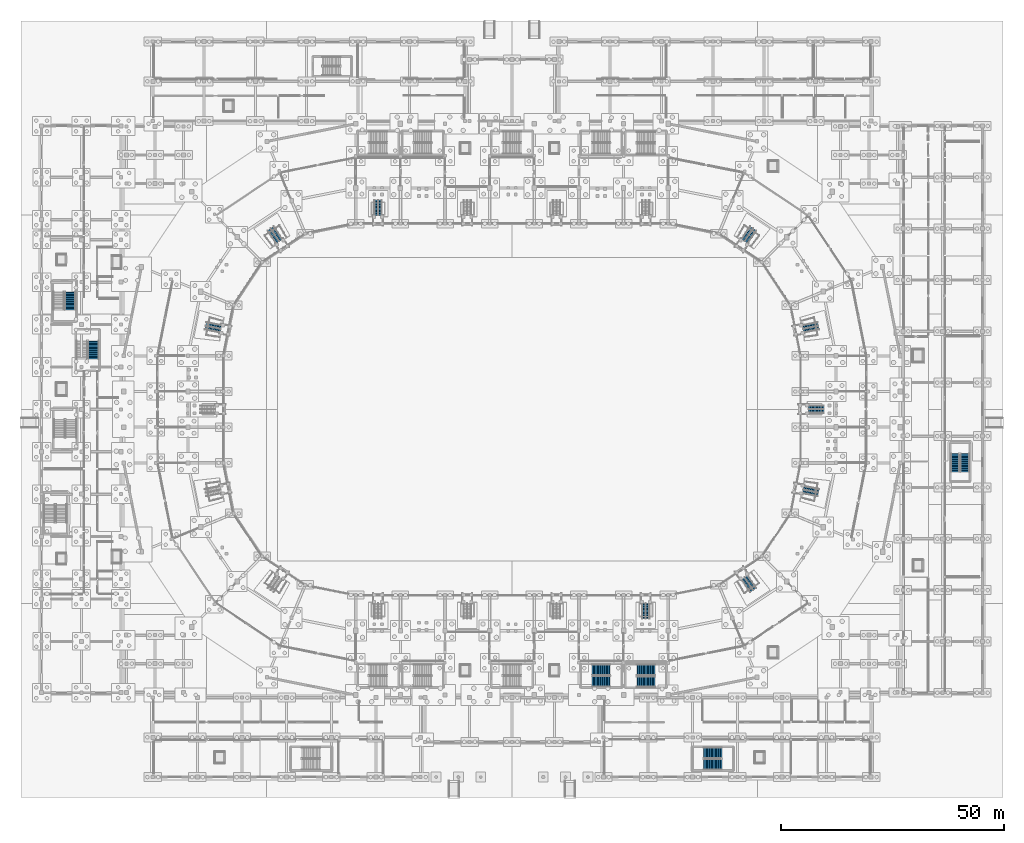
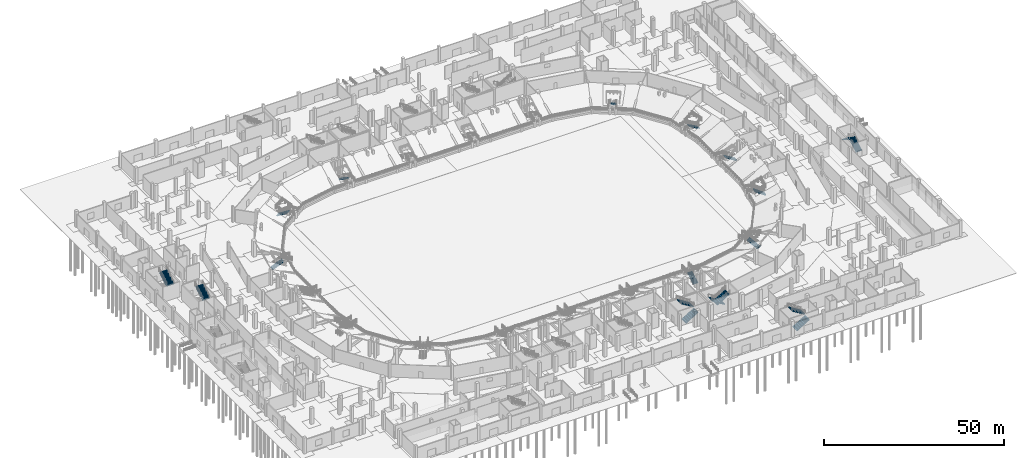
# One storey, part 44 of 68: 19 stair flights, 15 elements without a shape of their own.
"""IFC4 building model written with IfcOpenShell, lengths in metres."""

from ifc_helpers import new_model, si_unit, direction, frame, origin, place, context, subcontext, project, spatial, polyline, outline, extrude, material, type_object, element, aggregate, save


model = new_model("IFC4")

# Units and contexts
model_context = context("Model", 3, precision=1e-05, world=origin(), true_north=direction((0.0, 1.0)))
body_context = subcontext(model_context, "Body", "Model", "MODEL_VIEW")
ifc_project = project(units=[si_unit("LENGTHUNIT", "METRE"), si_unit("AREAUNIT", "SQUARE_METRE"), si_unit("VOLUMEUNIT", "CUBIC_METRE"), si_unit("PLANEANGLEUNIT", "RADIAN"), si_unit("MASSUNIT", "GRAM", prefix="KILO")], contexts=[model_context])

# Site, building, storey
site_placement = place(None, origin())
site = spatial("IfcSite", under=ifc_project, at=site_placement, CompositionType="ELEMENT")
building_placement = place(site_placement, origin())
building = spatial("IfcBuilding", under=site, at=building_placement, Name="Candeia Ridge Stadium", CompositionType="ELEMENT")
storey_placement = place(building_placement, origin())
storey = spatial("IfcBuildingStorey", under=building, at=storey_placement, Name="L00", CompositionType="ELEMENT", Elevation=0.0)

# Stair, stair flights
ifc_material_1 = material(Name="Concrete C40/50", Category="concrete")
stair_type_1 = type_object("IfcStairType", Name="Enclosed Core Half-Turn Stair 2450", PredefinedType="HALF_TURN_STAIR", material=ifc_material_1)
stair_1_placement = place(storey_placement, origin())
stair_1 = element("IfcStair", 1, at=stair_1_placement, inside=storey, type_object=stair_type_1, Name="L00 Enclosed exit stair ST03", PredefinedType="HALF_TURN_STAIR")
ifc_material_2 = material(Name="Precast concrete C40/50", Category="concrete")
stair_flight_type_1 = type_object("IfcStairFlightType", Name="Core Precast Stair Flight 2450", PredefinedType="STRAIGHT", material=ifc_material_2)
stair_flight_1_placement = place(storey_placement, frame((138.050048828125, 24.574951171875, 0.0), z_axis=(0.0, 0.0, 1.0), x_axis=(-1.0, 0.0, 0.0)))
stair_flight_1 = element("IfcStairFlight", 2, at=stair_flight_1_placement, type_object=stair_flight_type_1, Name="ST03 flight 1", NumberOfRisers=15, NumberOfTreads=14, PredefinedType="STRAIGHT", RiserHeight=0.18, TreadLength=0.29, context=body_context, shape_type="SweptSolid", body=[
    extrude(outline(polyline([(0.0, 0.0), (0.0, 0.179931640625), (0.2900390625, 0.179931640625), (0.2900390625, 0.360107421875), (0.580078125, 0.360107421875), (0.580078125, 0.5400390625), (0.8701171875, 0.5400390625), (0.8701171875, 0.719970703125), (1.159912109375, 0.719970703125), (1.159912109375, 0.89990234375), (1.449951171875, 0.89990234375), (1.449951171875, 1.080078125), (1.739990234375, 1.080078125), (1.739990234375, 1.260009765625), (2.030029296875, 1.260009765625), (2.030029296875, 1.43994140625), (2.320068359375, 1.43994140625), (2.320068359375, 1.6201171875), (2.610107421875, 1.6201171875), (2.610107421875, 1.800048828125), (2.89990234375, 1.800048828125), (2.89990234375, 1.97998046875), (3.18994140625, 1.97998046875), (3.18994140625, 2.159912109375), (3.47998046875, 2.159912109375), (3.47998046875, 2.340087890625), (3.77001953125, 2.340087890625), (3.77001953125, 2.52001953125), (4.06005859375, 2.52001953125), (4.06005859375, 2.699951171875), (4.06005859375, 2.331787109375), (0.30322265625, 0.0), (0.0, 0.0)])), frame((0.0, 1.22509765625, 0.0), z_axis=(0.0, -1.0, 0.0), x_axis=(1.0, 0.0, 0.0)), (0.0, 0.0, 1.0), 2.449951171875),
])
stair_flight_2_placement = place(storey_placement, frame((133.989990234375, 21.97509765625, 2.699951171875), z_axis=(0.0, 0.0, 1.0), x_axis=(1.0, 0.0, 0.0)))
stair_flight_2 = element("IfcStairFlight", 3, at=stair_flight_2_placement, type_object=stair_flight_type_1, Name="ST03 flight 2", NumberOfRisers=15, NumberOfTreads=14, PredefinedType="STRAIGHT", RiserHeight=0.18, TreadLength=0.29, context=body_context, shape_type="SweptSolid", body=[
    extrude(outline(polyline([(0.0, 0.0), (0.0, 0.179931640625), (0.2900390625, 0.179931640625), (0.2900390625, 0.360107421875), (0.580078125, 0.360107421875), (0.580078125, 0.5400390625), (0.8701171875, 0.5400390625), (0.8701171875, 0.719970703125), (1.159912109375, 0.719970703125), (1.159912109375, 0.89990234375), (1.449951171875, 0.89990234375), (1.449951171875, 1.080078125), (1.739990234375, 1.080078125), (1.739990234375, 1.260009765625), (2.030029296875, 1.260009765625), (2.030029296875, 1.43994140625), (2.320068359375, 1.43994140625), (2.320068359375, 1.6201171875), (2.610107421875, 1.6201171875), (2.610107421875, 1.800048828125), (2.89990234375, 1.800048828125), (2.89990234375, 1.97998046875), (3.18994140625, 1.97998046875), (3.18994140625, 2.159912109375), (3.47998046875, 2.159912109375), (3.47998046875, 2.340087890625), (3.77001953125, 2.340087890625), (3.77001953125, 2.52001953125), (4.06005859375, 2.52001953125), (4.06005859375, 2.699951171875), (4.06005859375, 2.331787109375), (0.30322265625, 0.0), (0.0, 0.0)])), frame((0.0, 1.22509765625, 0.0), z_axis=(0.0, -1.0, 0.0), x_axis=(1.0, 0.0, 0.0)), (0.0, 0.0, 1.0), 2.449951171875),
])
aggregate(stair_1, [stair_flight_1, stair_flight_2])

# Stair, stair flight
stair_2_placement = place(storey_placement, origin())
stair_2 = element("IfcStair", 4, at=stair_2_placement, inside=storey, type_object=stair_type_1, Name="L00 Enclosed exit stair ST06", PredefinedType="HALF_TURN_STAIR")
stair_flight_3_placement = place(storey_placement, frame((7.02490234375, 105.2900390625, 2.699951171875), z_axis=(0.0, 0.0, 1.0), x_axis=(0.0, 1.0, 0.0)))
stair_flight_3 = element("IfcStairFlight", 5, at=stair_flight_3_placement, type_object=stair_flight_type_1, Name="ST06 flight 2", NumberOfRisers=15, NumberOfTreads=14, PredefinedType="STRAIGHT", RiserHeight=0.18, TreadLength=0.29, context=body_context, shape_type="SweptSolid", body=[
    extrude(outline(polyline([(0.0, 0.0), (0.0, 0.179931640625), (0.2900390625, 0.179931640625), (0.2900390625, 0.360107421875), (0.580078125, 0.360107421875), (0.580078125, 0.5400390625), (0.8701171875, 0.5400390625), (0.8701171875, 0.719970703125), (1.159912109375, 0.719970703125), (1.159912109375, 0.89990234375), (1.449951171875, 0.89990234375), (1.449951171875, 1.080078125), (1.739990234375, 1.080078125), (1.739990234375, 1.260009765625), (2.030029296875, 1.260009765625), (2.030029296875, 1.43994140625), (2.320068359375, 1.43994140625), (2.320068359375, 1.6201171875), (2.610107421875, 1.6201171875), (2.610107421875, 1.800048828125), (2.89990234375, 1.800048828125), (2.89990234375, 1.97998046875), (3.18994140625, 1.97998046875), (3.18994140625, 2.159912109375), (3.47998046875, 2.159912109375), (3.47998046875, 2.340087890625), (3.77001953125, 2.340087890625), (3.77001953125, 2.52001953125), (4.06005859375, 2.52001953125), (4.06005859375, 2.699951171875), (4.06005859375, 2.331787109375), (0.30322265625, 0.0), (0.0, 0.0)])), frame((0.0, 1.22509765625, 0.0), z_axis=(0.0, -1.0, 0.0), x_axis=(1.0, 0.0, 0.0)), (0.0, 0.0, 1.0), 2.449951171875),
])
aggregate(stair_2, [stair_flight_3])

stair_3_placement = place(storey_placement, origin())
stair_3 = element("IfcStair", 6, at=stair_3_placement, inside=storey, type_object=stair_type_1, Name="L00 Enclosed exit stair ST08", PredefinedType="HALF_TURN_STAIR")
stair_flight_4_placement = place(storey_placement, frame((12.22509765625, 94.2900390625, 2.699951171875), z_axis=(0.0, 0.0, 1.0), x_axis=(0.0, 1.0, 0.0)))
stair_flight_4 = element("IfcStairFlight", 7, at=stair_flight_4_placement, type_object=stair_flight_type_1, Name="ST08 flight 2", NumberOfRisers=15, NumberOfTreads=14, PredefinedType="STRAIGHT", RiserHeight=0.18, TreadLength=0.29, context=body_context, shape_type="SweptSolid", body=[
    extrude(outline(polyline([(0.0, 0.0), (0.0, 0.179931640625), (0.2900390625, 0.179931640625), (0.2900390625, 0.360107421875), (0.580078125, 0.360107421875), (0.580078125, 0.5400390625), (0.8701171875, 0.5400390625), (0.8701171875, 0.719970703125), (1.159912109375, 0.719970703125), (1.159912109375, 0.89990234375), (1.449951171875, 0.89990234375), (1.449951171875, 1.080078125), (1.739990234375, 1.080078125), (1.739990234375, 1.260009765625), (2.030029296875, 1.260009765625), (2.030029296875, 1.43994140625), (2.320068359375, 1.43994140625), (2.320068359375, 1.6201171875), (2.610107421875, 1.6201171875), (2.610107421875, 1.800048828125), (2.89990234375, 1.800048828125), (2.89990234375, 1.97998046875), (3.18994140625, 1.97998046875), (3.18994140625, 2.159912109375), (3.47998046875, 2.159912109375), (3.47998046875, 2.340087890625), (3.77001953125, 2.340087890625), (3.77001953125, 2.52001953125), (4.06005859375, 2.52001953125), (4.06005859375, 2.699951171875), (4.06005859375, 2.331787109375), (0.30322265625, 0.0), (0.0, 0.0)])), frame((0.0, 1.22509765625, 0.0), z_axis=(0.0, -1.0, 0.0), x_axis=(1.0, 0.0, 0.0)), (0.0, 0.0, 1.0), 2.449951171875),
])
aggregate(stair_3, [stair_flight_4])

# Stair, stair flights
stair_4_placement = place(storey_placement, origin())
stair_4 = element("IfcStair", 8, at=stair_4_placement, inside=storey, type_object=stair_type_1, Name="L00 Enclosed exit stair ST12", PredefinedType="HALF_TURN_STAIR")
stair_flight_5_placement = place(storey_placement, frame((123.949951171875, 22.02490234375, 0.0), z_axis=(0.0, 0.0, 1.0), x_axis=(1.0, 0.0, 0.0)))
stair_flight_5 = element("IfcStairFlight", 9, at=stair_flight_5_placement, type_object=stair_flight_type_1, Name="ST12 flight 1", NumberOfRisers=15, NumberOfTreads=14, PredefinedType="STRAIGHT", RiserHeight=0.18, TreadLength=0.29, context=body_context, shape_type="SweptSolid", body=[
    extrude(outline(polyline([(0.0, 0.0), (0.0, 0.179931640625), (0.2900390625, 0.179931640625), (0.2900390625, 0.360107421875), (0.580078125, 0.360107421875), (0.580078125, 0.5400390625), (0.8701171875, 0.5400390625), (0.8701171875, 0.719970703125), (1.159912109375, 0.719970703125), (1.159912109375, 0.89990234375), (1.449951171875, 0.89990234375), (1.449951171875, 1.080078125), (1.739990234375, 1.080078125), (1.739990234375, 1.260009765625), (2.030029296875, 1.260009765625), (2.030029296875, 1.43994140625), (2.320068359375, 1.43994140625), (2.320068359375, 1.6201171875), (2.610107421875, 1.6201171875), (2.610107421875, 1.800048828125), (2.89990234375, 1.800048828125), (2.89990234375, 1.97998046875), (3.18994140625, 1.97998046875), (3.18994140625, 2.159912109375), (3.47998046875, 2.159912109375), (3.47998046875, 2.340087890625), (3.77001953125, 2.340087890625), (3.77001953125, 2.52001953125), (4.06005859375, 2.52001953125), (4.06005859375, 2.699951171875), (4.06005859375, 2.331787109375), (0.30322265625, 0.0), (0.0, 0.0)])), frame((0.0, 1.22509765625, 0.0), z_axis=(0.0, -1.0, 0.0), x_axis=(1.0, 0.0, 0.0)), (0.0, 0.0, 1.0), 2.449951171875),
])
stair_flight_6_placement = place(storey_placement, frame((128.010009765625, 24.625, 2.699951171875), z_axis=(0.0, 0.0, 1.0), x_axis=(-1.0, 0.0, 0.0)))
stair_flight_6 = element("IfcStairFlight", 10, at=stair_flight_6_placement, type_object=stair_flight_type_1, Name="ST12 flight 2", NumberOfRisers=15, NumberOfTreads=14, PredefinedType="STRAIGHT", RiserHeight=0.18, TreadLength=0.29, context=body_context, shape_type="SweptSolid", body=[
    extrude(outline(polyline([(0.0, 0.0), (0.0, 0.179931640625), (0.2900390625, 0.179931640625), (0.2900390625, 0.360107421875), (0.580078125, 0.360107421875), (0.580078125, 0.5400390625), (0.8701171875, 0.5400390625), (0.8701171875, 0.719970703125), (1.159912109375, 0.719970703125), (1.159912109375, 0.89990234375), (1.449951171875, 0.89990234375), (1.449951171875, 1.080078125), (1.739990234375, 1.080078125), (1.739990234375, 1.260009765625), (2.030029296875, 1.260009765625), (2.030029296875, 1.43994140625), (2.320068359375, 1.43994140625), (2.320068359375, 1.6201171875), (2.610107421875, 1.6201171875), (2.610107421875, 1.800048828125), (2.89990234375, 1.800048828125), (2.89990234375, 1.97998046875), (3.18994140625, 1.97998046875), (3.18994140625, 2.159912109375), (3.47998046875, 2.159912109375), (3.47998046875, 2.340087890625), (3.77001953125, 2.340087890625), (3.77001953125, 2.52001953125), (4.06005859375, 2.52001953125), (4.06005859375, 2.699951171875), (4.06005859375, 2.331787109375), (0.30322265625, 0.0), (0.0, 0.0)])), frame((0.0, 1.22509765625, 0.0), z_axis=(0.0, -1.0, 0.0), x_axis=(1.0, 0.0, 0.0)), (0.0, 0.0, 1.0), 2.449951171875),
])
aggregate(stair_4, [stair_flight_5, stair_flight_6])

stair_5_placement = place(storey_placement, origin())
stair_5 = element("IfcStair", 11, at=stair_5_placement, inside=storey, type_object=stair_type_1, Name="L00 Enclosed exit stair ST14", PredefinedType="HALF_TURN_STAIR")
stair_flight_7_placement = place(storey_placement, frame((148.949951171875, 3.425048828125, 0.0), z_axis=(0.0, 0.0, 1.0), x_axis=(1.0, 0.0, 0.0)))
stair_flight_7 = element("IfcStairFlight", 12, at=stair_flight_7_placement, type_object=stair_flight_type_1, Name="ST14 flight 1", NumberOfRisers=15, NumberOfTreads=14, PredefinedType="STRAIGHT", RiserHeight=0.18, TreadLength=0.29, context=body_context, shape_type="SweptSolid", body=[
    extrude(outline(polyline([(0.0, 0.0), (0.0, 0.179931640625), (0.2900390625, 0.179931640625), (0.2900390625, 0.360107421875), (0.580078125, 0.360107421875), (0.580078125, 0.5400390625), (0.8701171875, 0.5400390625), (0.8701171875, 0.719970703125), (1.159912109375, 0.719970703125), (1.159912109375, 0.89990234375), (1.449951171875, 0.89990234375), (1.449951171875, 1.080078125), (1.739990234375, 1.080078125), (1.739990234375, 1.260009765625), (2.030029296875, 1.260009765625), (2.030029296875, 1.43994140625), (2.320068359375, 1.43994140625), (2.320068359375, 1.6201171875), (2.610107421875, 1.6201171875), (2.610107421875, 1.800048828125), (2.89990234375, 1.800048828125), (2.89990234375, 1.97998046875), (3.18994140625, 1.97998046875), (3.18994140625, 2.159912109375), (3.47998046875, 2.159912109375), (3.47998046875, 2.340087890625), (3.77001953125, 2.340087890625), (3.77001953125, 2.52001953125), (4.06005859375, 2.52001953125), (4.06005859375, 2.699951171875), (4.06005859375, 2.331787109375), (0.30322265625, 0.0), (0.0, 0.0)])), frame((0.0, 1.22509765625, 0.0), z_axis=(0.0, -1.0, 0.0), x_axis=(1.0, 0.0, 0.0)), (0.0, 0.0, 1.0), 2.449951171875),
])
stair_flight_8_placement = place(storey_placement, frame((153.010009765625, 6.02490234375, 2.699951171875), z_axis=(0.0, 0.0, 1.0), x_axis=(-1.0, 0.0, 0.0)))
stair_flight_8 = element("IfcStairFlight", 13, at=stair_flight_8_placement, type_object=stair_flight_type_1, Name="ST14 flight 2", NumberOfRisers=15, NumberOfTreads=14, PredefinedType="STRAIGHT", RiserHeight=0.18, TreadLength=0.29, context=body_context, shape_type="SweptSolid", body=[
    extrude(outline(polyline([(0.0, 0.0), (0.0, 0.179931640625), (0.2900390625, 0.179931640625), (0.2900390625, 0.360107421875), (0.580078125, 0.360107421875), (0.580078125, 0.5400390625), (0.8701171875, 0.5400390625), (0.8701171875, 0.719970703125), (1.159912109375, 0.719970703125), (1.159912109375, 0.89990234375), (1.449951171875, 0.89990234375), (1.449951171875, 1.080078125), (1.739990234375, 1.080078125), (1.739990234375, 1.260009765625), (2.030029296875, 1.260009765625), (2.030029296875, 1.43994140625), (2.320068359375, 1.43994140625), (2.320068359375, 1.6201171875), (2.610107421875, 1.6201171875), (2.610107421875, 1.800048828125), (2.89990234375, 1.800048828125), (2.89990234375, 1.97998046875), (3.18994140625, 1.97998046875), (3.18994140625, 2.159912109375), (3.47998046875, 2.159912109375), (3.47998046875, 2.340087890625), (3.77001953125, 2.340087890625), (3.77001953125, 2.52001953125), (4.06005859375, 2.52001953125), (4.06005859375, 2.699951171875), (4.06005859375, 2.331787109375), (0.30322265625, 0.0), (0.0, 0.0)])), frame((0.0, 1.22509765625, 0.0), z_axis=(0.0, -1.0, 0.0), x_axis=(1.0, 0.0, 0.0)), (0.0, 0.0, 1.0), 2.449951171875),
])
aggregate(stair_5, [stair_flight_7, stair_flight_8])

# Stair, stair flight
ifc_material_3 = material(Name="Precast concrete C45/55", Category="concrete")
stair_type_2 = type_object("IfcStairType", Name="Spectator Vomitory Straight Stair 2200", PredefinedType="STRAIGHT_RUN_STAIR", material=ifc_material_3)
stair_6_placement = place(storey_placement, origin())
stair_6 = element("IfcStair", 14, at=stair_6_placement, inside=storey, type_object=stair_type_2, Name="Vomitory stair VS04", PredefinedType="STRAIGHT_RUN_STAIR")
stair_flight_type_2 = type_object("IfcStairFlightType", Name="Vomitory Precast Stair Flight 2200", PredefinedType="STRAIGHT", material=ifc_material_3)
stair_flight_9_placement = place(storey_placement, frame((76.0, 129.89208984375, 0.0), z_axis=(0.0, 0.0, 1.0), x_axis=(0.0, -1.0, 0.0)))
stair_flight_9 = element("IfcStairFlight", 15, at=stair_flight_9_placement, type_object=stair_flight_type_2, Name="VS04 flight 1", NumberOfRisers=13, NumberOfTreads=12, PredefinedType="STRAIGHT", RiserHeight=0.172308, TreadLength=0.285, context=body_context, shape_type="SweptSolid", body=[
    extrude(outline(polyline([(0.0, 0.0), (0.0, 0.17236328125), (0.284912109375, 0.17236328125), (0.284912109375, 0.3447265625), (0.570068359375, 0.3447265625), (0.570068359375, 0.516845703125), (0.85498046875, 0.516845703125), (0.85498046875, 0.689208984375), (1.139892578125, 0.689208984375), (1.139892578125, 0.861572265625), (1.425048828125, 0.861572265625), (1.425048828125, 1.033935546875), (1.7099609375, 1.033935546875), (1.7099609375, 1.2060546875), (1.9951171875, 1.2060546875), (1.9951171875, 1.37841796875), (2.280029296875, 1.37841796875), (2.280029296875, 1.55078125), (2.56494140625, 1.55078125), (2.56494140625, 1.72314453125), (2.85009765625, 1.72314453125), (2.85009765625, 1.8955078125), (3.135009765625, 1.8955078125), (3.135009765625, 2.067626953125), (3.419921875, 2.067626953125), (3.419921875, 2.239990234375), (3.419921875, 1.857421875), (0.34765625, 0.0), (0.0, 0.0)])), frame((0.0, 0.800048828125, 0.0), z_axis=(0.0, -1.0, 0.0), x_axis=(1.0, 0.0, 0.0)), (0.0, 0.0, 1.0), 1.60009765625),
])
aggregate(stair_6, [stair_flight_9])

stair_7_placement = place(storey_placement, origin())
stair_7 = element("IfcStair", 16, at=stair_7_placement, inside=storey, type_object=stair_type_2, Name="Vomitory stair VS05", PredefinedType="STRAIGHT_RUN_STAIR")
stair_flight_10_placement = place(storey_placement, frame((51.950927734375, 123.5087890625, 0.0), z_axis=(0.0, 0.0, 1.0), x_axis=(0.55557023302, -0.831469612303, 0.0)))
stair_flight_10 = element("IfcStairFlight", 17, at=stair_flight_10_placement, type_object=stair_flight_type_2, Name="VS05 flight 1", NumberOfRisers=13, NumberOfTreads=12, PredefinedType="STRAIGHT", RiserHeight=0.172308, TreadLength=0.285, context=body_context, shape_type="SweptSolid", body=[
    extrude(outline(polyline([(0.0, 0.0), (0.0, 0.17236328125), (0.284912109375, 0.17236328125), (0.284912109375, 0.3447265625), (0.570068359375, 0.3447265625), (0.570068359375, 0.516845703125), (0.85498046875, 0.516845703125), (0.85498046875, 0.689208984375), (1.139892578125, 0.689208984375), (1.139892578125, 0.861572265625), (1.425048828125, 0.861572265625), (1.425048828125, 1.033935546875), (1.7099609375, 1.033935546875), (1.7099609375, 1.2060546875), (1.9951171875, 1.2060546875), (1.9951171875, 1.37841796875), (2.280029296875, 1.37841796875), (2.280029296875, 1.55078125), (2.56494140625, 1.55078125), (2.56494140625, 1.72314453125), (2.85009765625, 1.72314453125), (2.85009765625, 1.8955078125), (3.135009765625, 1.8955078125), (3.135009765625, 2.067626953125), (3.419921875, 2.067626953125), (3.419921875, 2.239990234375), (3.419921875, 1.857421875), (0.34765625, 0.0), (0.0, 0.0)])), frame((0.0, 0.800048828125, 0.0), z_axis=(0.0, -1.0, 0.0), x_axis=(1.0, 0.0, 0.0)), (0.0, 0.0, 1.0), 1.60009765625),
])
aggregate(stair_7, [stair_flight_10])

stair_8_placement = place(storey_placement, origin())
stair_8 = element("IfcStair", 18, at=stair_8_placement, inside=storey, type_object=stair_type_2, Name="Vomitory stair VS06", PredefinedType="STRAIGHT_RUN_STAIR")
stair_flight_11_placement = place(storey_placement, frame((37.37158203125, 101.689208984375, 0.0), z_axis=(0.0, 0.0, 1.0), x_axis=(0.980785280403, -0.195090322016, 0.0)))
stair_flight_11 = element("IfcStairFlight", 19, at=stair_flight_11_placement, type_object=stair_flight_type_2, Name="VS06 flight 1", NumberOfRisers=13, NumberOfTreads=12, PredefinedType="STRAIGHT", RiserHeight=0.172308, TreadLength=0.285, context=body_context, shape_type="SweptSolid", body=[
    extrude(outline(polyline([(0.0, 0.0), (0.0, 0.17236328125), (0.284912109375, 0.17236328125), (0.284912109375, 0.3447265625), (0.570068359375, 0.3447265625), (0.570068359375, 0.516845703125), (0.85498046875, 0.516845703125), (0.85498046875, 0.689208984375), (1.139892578125, 0.689208984375), (1.139892578125, 0.861572265625), (1.425048828125, 0.861572265625), (1.425048828125, 1.033935546875), (1.7099609375, 1.033935546875), (1.7099609375, 1.2060546875), (1.9951171875, 1.2060546875), (1.9951171875, 1.37841796875), (2.280029296875, 1.37841796875), (2.280029296875, 1.55078125), (2.56494140625, 1.55078125), (2.56494140625, 1.72314453125), (2.85009765625, 1.72314453125), (2.85009765625, 1.8955078125), (3.135009765625, 1.8955078125), (3.135009765625, 2.067626953125), (3.419921875, 2.067626953125), (3.419921875, 2.239990234375), (3.419921875, 1.857421875), (0.34765625, 0.0), (0.0, 0.0)])), frame((0.0, 0.800048828125, 0.0), z_axis=(0.0, -1.0, 0.0), x_axis=(1.0, 0.0, 0.0)), (0.0, 0.0, 1.0), 1.60009765625),
])
aggregate(stair_8, [stair_flight_11])

stair_9_placement = place(storey_placement, origin())
stair_9 = element("IfcStair", 20, at=stair_9_placement, inside=storey, type_object=stair_type_2, Name="Vomitory stair VS13", PredefinedType="STRAIGHT_RUN_STAIR")
stair_flight_12_placement = place(storey_placement, frame((136.0, 36.10791015625, 0.0), z_axis=(0.0, 0.0, 1.0), x_axis=(0.0, 1.0, 0.0)))
stair_flight_12 = element("IfcStairFlight", 21, at=stair_flight_12_placement, type_object=stair_flight_type_2, Name="VS13 flight 1", NumberOfRisers=13, NumberOfTreads=12, PredefinedType="STRAIGHT", RiserHeight=0.172308, TreadLength=0.285, context=body_context, shape_type="SweptSolid", body=[
    extrude(outline(polyline([(0.0, 0.0), (0.0, 0.17236328125), (0.284912109375, 0.17236328125), (0.284912109375, 0.3447265625), (0.570068359375, 0.3447265625), (0.570068359375, 0.516845703125), (0.85498046875, 0.516845703125), (0.85498046875, 0.689208984375), (1.139892578125, 0.689208984375), (1.139892578125, 0.861572265625), (1.425048828125, 0.861572265625), (1.425048828125, 1.033935546875), (1.7099609375, 1.033935546875), (1.7099609375, 1.2060546875), (1.9951171875, 1.2060546875), (1.9951171875, 1.37841796875), (2.280029296875, 1.37841796875), (2.280029296875, 1.55078125), (2.56494140625, 1.55078125), (2.56494140625, 1.72314453125), (2.85009765625, 1.72314453125), (2.85009765625, 1.8955078125), (3.135009765625, 1.8955078125), (3.135009765625, 2.067626953125), (3.419921875, 2.067626953125), (3.419921875, 2.239990234375), (3.419921875, 1.857421875), (0.34765625, 0.0), (0.0, 0.0)])), frame((0.0, 0.800048828125, 0.0), z_axis=(0.0, -1.0, 0.0), x_axis=(1.0, 0.0, 0.0)), (0.0, 0.0, 1.0), 1.60009765625),
])
aggregate(stair_9, [stair_flight_12])

stair_10_placement = place(storey_placement, origin())
stair_10 = element("IfcStair", 22, at=stair_10_placement, inside=storey, type_object=stair_type_2, Name="Vomitory stair VS14", PredefinedType="STRAIGHT_RUN_STAIR")
stair_flight_13_placement = place(storey_placement, frame((160.049072265625, 42.4912109375, 0.0), z_axis=(0.0, 0.0, 1.0), x_axis=(-0.55557023302, 0.831469612303, 0.0)))
stair_flight_13 = element("IfcStairFlight", 23, at=stair_flight_13_placement, type_object=stair_flight_type_2, Name="VS14 flight 1", NumberOfRisers=13, NumberOfTreads=12, PredefinedType="STRAIGHT", RiserHeight=0.172308, TreadLength=0.285, context=body_context, shape_type="SweptSolid", body=[
    extrude(outline(polyline([(0.0, 0.0), (0.0, 0.17236328125), (0.284912109375, 0.17236328125), (0.284912109375, 0.3447265625), (0.570068359375, 0.3447265625), (0.570068359375, 0.516845703125), (0.85498046875, 0.516845703125), (0.85498046875, 0.689208984375), (1.139892578125, 0.689208984375), (1.139892578125, 0.861572265625), (1.425048828125, 0.861572265625), (1.425048828125, 1.033935546875), (1.7099609375, 1.033935546875), (1.7099609375, 1.2060546875), (1.9951171875, 1.2060546875), (1.9951171875, 1.37841796875), (2.280029296875, 1.37841796875), (2.280029296875, 1.55078125), (2.56494140625, 1.55078125), (2.56494140625, 1.72314453125), (2.85009765625, 1.72314453125), (2.85009765625, 1.8955078125), (3.135009765625, 1.8955078125), (3.135009765625, 2.067626953125), (3.419921875, 2.067626953125), (3.419921875, 2.239990234375), (3.419921875, 1.857421875), (0.34765625, 0.0), (0.0, 0.0)])), frame((0.0, 0.800048828125, 0.0), z_axis=(0.0, -1.0, 0.0), x_axis=(1.0, 0.0, 0.0)), (0.0, 0.0, 1.0), 1.60009765625),
])
aggregate(stair_10, [stair_flight_13])

stair_11_placement = place(storey_placement, origin())
stair_11 = element("IfcStair", 24, at=stair_11_placement, inside=storey, type_object=stair_type_2, Name="Vomitory stair VS15", PredefinedType="STRAIGHT_RUN_STAIR")
stair_flight_14_placement = place(storey_placement, frame((174.62841796875, 64.310791015625, 0.0), z_axis=(0.0, 0.0, 1.0), x_axis=(-0.980785280403, 0.195090322016, 0.0)))
stair_flight_14 = element("IfcStairFlight", 25, at=stair_flight_14_placement, type_object=stair_flight_type_2, Name="VS15 flight 1", NumberOfRisers=13, NumberOfTreads=12, PredefinedType="STRAIGHT", RiserHeight=0.172308, TreadLength=0.285, context=body_context, shape_type="SweptSolid", body=[
    extrude(outline(polyline([(0.0, 0.0), (0.0, 0.17236328125), (0.284912109375, 0.17236328125), (0.284912109375, 0.3447265625), (0.570068359375, 0.3447265625), (0.570068359375, 0.516845703125), (0.85498046875, 0.516845703125), (0.85498046875, 0.689208984375), (1.139892578125, 0.689208984375), (1.139892578125, 0.861572265625), (1.425048828125, 0.861572265625), (1.425048828125, 1.033935546875), (1.7099609375, 1.033935546875), (1.7099609375, 1.2060546875), (1.9951171875, 1.2060546875), (1.9951171875, 1.37841796875), (2.280029296875, 1.37841796875), (2.280029296875, 1.55078125), (2.56494140625, 1.55078125), (2.56494140625, 1.72314453125), (2.85009765625, 1.72314453125), (2.85009765625, 1.8955078125), (3.135009765625, 1.8955078125), (3.135009765625, 2.067626953125), (3.419921875, 2.067626953125), (3.419921875, 2.239990234375), (3.419921875, 1.857421875), (0.34765625, 0.0), (0.0, 0.0)])), frame((0.0, 0.800048828125, 0.0), z_axis=(0.0, -1.0, 0.0), x_axis=(1.0, 0.0, 0.0)), (0.0, 0.0, 1.0), 1.60009765625),
])
aggregate(stair_11, [stair_flight_14])

stair_12_placement = place(storey_placement, origin())
stair_12 = element("IfcStair", 26, at=stair_12_placement, inside=storey, type_object=stair_type_2, Name="Vomitory stair VS16", PredefinedType="STRAIGHT_RUN_STAIR")
stair_flight_15_placement = place(storey_placement, frame((175.89208984375, 83.0, 0.0), z_axis=(0.0, 0.0, 1.0), x_axis=(-1.0, 0.0, 0.0)))
stair_flight_15 = element("IfcStairFlight", 27, at=stair_flight_15_placement, type_object=stair_flight_type_2, Name="VS16 flight 1", NumberOfRisers=13, NumberOfTreads=12, PredefinedType="STRAIGHT", RiserHeight=0.172308, TreadLength=0.285, context=body_context, shape_type="SweptSolid", body=[
    extrude(outline(polyline([(0.0, 0.0), (0.0, 0.17236328125), (0.284912109375, 0.17236328125), (0.284912109375, 0.3447265625), (0.570068359375, 0.3447265625), (0.570068359375, 0.516845703125), (0.85498046875, 0.516845703125), (0.85498046875, 0.689208984375), (1.139892578125, 0.689208984375), (1.139892578125, 0.861572265625), (1.425048828125, 0.861572265625), (1.425048828125, 1.033935546875), (1.7099609375, 1.033935546875), (1.7099609375, 1.2060546875), (1.9951171875, 1.2060546875), (1.9951171875, 1.37841796875), (2.280029296875, 1.37841796875), (2.280029296875, 1.55078125), (2.56494140625, 1.55078125), (2.56494140625, 1.72314453125), (2.85009765625, 1.72314453125), (2.85009765625, 1.8955078125), (3.135009765625, 1.8955078125), (3.135009765625, 2.067626953125), (3.419921875, 2.067626953125), (3.419921875, 2.239990234375), (3.419921875, 1.857421875), (0.34765625, 0.0), (0.0, 0.0)])), frame((0.0, 0.800048828125, 0.0), z_axis=(0.0, -1.0, 0.0), x_axis=(1.0, 0.0, 0.0)), (0.0, 0.0, 1.0), 1.60009765625),
])
aggregate(stair_12, [stair_flight_15])

stair_13_placement = place(storey_placement, origin())
stair_13 = element("IfcStair", 28, at=stair_13_placement, inside=storey, type_object=stair_type_2, Name="Vomitory stair VS17", PredefinedType="STRAIGHT_RUN_STAIR")
stair_flight_16_placement = place(storey_placement, frame((174.62841796875, 101.689208984375, 0.0), z_axis=(0.0, 0.0, 1.0), x_axis=(-0.980785280403, -0.195090322016, 0.0)))
stair_flight_16 = element("IfcStairFlight", 29, at=stair_flight_16_placement, type_object=stair_flight_type_2, Name="VS17 flight 1", NumberOfRisers=13, NumberOfTreads=12, PredefinedType="STRAIGHT", RiserHeight=0.172308, TreadLength=0.285, context=body_context, shape_type="SweptSolid", body=[
    extrude(outline(polyline([(0.0, 0.0), (0.0, 0.17236328125), (0.284912109375, 0.17236328125), (0.284912109375, 0.3447265625), (0.570068359375, 0.3447265625), (0.570068359375, 0.516845703125), (0.85498046875, 0.516845703125), (0.85498046875, 0.689208984375), (1.139892578125, 0.689208984375), (1.139892578125, 0.861572265625), (1.425048828125, 0.861572265625), (1.425048828125, 1.033935546875), (1.7099609375, 1.033935546875), (1.7099609375, 1.2060546875), (1.9951171875, 1.2060546875), (1.9951171875, 1.37841796875), (2.280029296875, 1.37841796875), (2.280029296875, 1.55078125), (2.56494140625, 1.55078125), (2.56494140625, 1.72314453125), (2.85009765625, 1.72314453125), (2.85009765625, 1.8955078125), (3.135009765625, 1.8955078125), (3.135009765625, 2.067626953125), (3.419921875, 2.067626953125), (3.419921875, 2.239990234375), (3.419921875, 1.857421875), (0.34765625, 0.0), (0.0, 0.0)])), frame((0.0, 0.800048828125, 0.0), z_axis=(0.0, -1.0, 0.0), x_axis=(1.0, 0.0, 0.0)), (0.0, 0.0, 1.0), 1.60009765625),
])
aggregate(stair_13, [stair_flight_16])

stair_14_placement = place(storey_placement, origin())
stair_14 = element("IfcStair", 30, at=stair_14_placement, inside=storey, type_object=stair_type_2, Name="Vomitory stair VS18", PredefinedType="STRAIGHT_RUN_STAIR")
stair_flight_17_placement = place(storey_placement, frame((160.049072265625, 123.5087890625, 0.0), z_axis=(0.0, 0.0, 1.0), x_axis=(-0.55557023302, -0.831469612303, 0.0)))
stair_flight_17 = element("IfcStairFlight", 31, at=stair_flight_17_placement, type_object=stair_flight_type_2, Name="VS18 flight 1", NumberOfRisers=13, NumberOfTreads=12, PredefinedType="STRAIGHT", RiserHeight=0.172308, TreadLength=0.285, context=body_context, shape_type="SweptSolid", body=[
    extrude(outline(polyline([(0.0, 0.0), (0.0, 0.17236328125), (0.284912109375, 0.17236328125), (0.284912109375, 0.3447265625), (0.570068359375, 0.3447265625), (0.570068359375, 0.516845703125), (0.85498046875, 0.516845703125), (0.85498046875, 0.689208984375), (1.139892578125, 0.689208984375), (1.139892578125, 0.861572265625), (1.425048828125, 0.861572265625), (1.425048828125, 1.033935546875), (1.7099609375, 1.033935546875), (1.7099609375, 1.2060546875), (1.9951171875, 1.2060546875), (1.9951171875, 1.37841796875), (2.280029296875, 1.37841796875), (2.280029296875, 1.55078125), (2.56494140625, 1.55078125), (2.56494140625, 1.72314453125), (2.85009765625, 1.72314453125), (2.85009765625, 1.8955078125), (3.135009765625, 1.8955078125), (3.135009765625, 2.067626953125), (3.419921875, 2.067626953125), (3.419921875, 2.239990234375), (3.419921875, 1.857421875), (0.34765625, 0.0), (0.0, 0.0)])), frame((0.0, 0.800048828125, 0.0), z_axis=(0.0, -1.0, 0.0), x_axis=(1.0, 0.0, 0.0)), (0.0, 0.0, 1.0), 1.60009765625),
])
aggregate(stair_14, [stair_flight_17])

# Stair, stair flights
stair_type_3 = type_object("IfcStairType", Name="Enclosed Wing Half-Turn Stair 2000", PredefinedType="HALF_TURN_STAIR", material=ifc_material_1)
stair_15_placement = place(storey_placement, origin())
stair_15 = element("IfcStair", 32, at=stair_15_placement, inside=storey, type_object=stair_type_3, Name="L00 Enclosed exit stair ST16", PredefinedType="HALF_TURN_STAIR")
stair_flight_type_3 = type_object("IfcStairFlightType", Name="Wing Precast Stair Flight 2000", PredefinedType="STRAIGHT", material=ifc_material_2)
stair_flight_18_placement = place(storey_placement, frame((207.5, 69.0, 0.0), z_axis=(0.0, 0.0, 1.0), x_axis=(0.0, 1.0, 0.0)))
stair_flight_18 = element("IfcStairFlight", 33, at=stair_flight_18_placement, type_object=stair_flight_type_3, Name="ST16 flight 1", NumberOfRisers=15, NumberOfTreads=14, PredefinedType="STRAIGHT", RiserHeight=0.18, TreadLength=0.29, context=body_context, shape_type="SweptSolid", body=[
    extrude(outline(polyline([(0.0, 0.0), (0.0, 0.179931640625), (0.2900390625, 0.179931640625), (0.2900390625, 0.360107421875), (0.580078125, 0.360107421875), (0.580078125, 0.5400390625), (0.8701171875, 0.5400390625), (0.8701171875, 0.719970703125), (1.159912109375, 0.719970703125), (1.159912109375, 0.89990234375), (1.449951171875, 0.89990234375), (1.449951171875, 1.080078125), (1.739990234375, 1.080078125), (1.739990234375, 1.260009765625), (2.030029296875, 1.260009765625), (2.030029296875, 1.43994140625), (2.320068359375, 1.43994140625), (2.320068359375, 1.6201171875), (2.610107421875, 1.6201171875), (2.610107421875, 1.800048828125), (2.89990234375, 1.800048828125), (2.89990234375, 1.97998046875), (3.18994140625, 1.97998046875), (3.18994140625, 2.159912109375), (3.47998046875, 2.159912109375), (3.47998046875, 2.340087890625), (3.77001953125, 2.340087890625), (3.77001953125, 2.52001953125), (4.06005859375, 2.52001953125), (4.06005859375, 2.699951171875), (4.06005859375, 2.331787109375), (0.30322265625, 0.0), (0.0, 0.0)])), frame((0.0, 1.0, 0.0), z_axis=(0.0, -1.0, 0.0), x_axis=(1.0, 0.0, 0.0)), (0.0, 0.0, 1.0), 2.0),
])
stair_flight_19_placement = place(storey_placement, frame((205.35009765625, 73.06005859375, 2.699951171875), z_axis=(0.0, 0.0, 1.0), x_axis=(0.0, -1.0, 0.0)))
stair_flight_19 = element("IfcStairFlight", 34, at=stair_flight_19_placement, type_object=stair_flight_type_3, Name="ST16 flight 2", NumberOfRisers=15, NumberOfTreads=14, PredefinedType="STRAIGHT", RiserHeight=0.18, TreadLength=0.29, context=body_context, shape_type="SweptSolid", body=[
    extrude(outline(polyline([(0.0, 0.0), (0.0, 0.179931640625), (0.2900390625, 0.179931640625), (0.2900390625, 0.360107421875), (0.580078125, 0.360107421875), (0.580078125, 0.5400390625), (0.8701171875, 0.5400390625), (0.8701171875, 0.719970703125), (1.159912109375, 0.719970703125), (1.159912109375, 0.89990234375), (1.449951171875, 0.89990234375), (1.449951171875, 1.080078125), (1.739990234375, 1.080078125), (1.739990234375, 1.260009765625), (2.030029296875, 1.260009765625), (2.030029296875, 1.43994140625), (2.320068359375, 1.43994140625), (2.320068359375, 1.6201171875), (2.610107421875, 1.6201171875), (2.610107421875, 1.800048828125), (2.89990234375, 1.800048828125), (2.89990234375, 1.97998046875), (3.18994140625, 1.97998046875), (3.18994140625, 2.159912109375), (3.47998046875, 2.159912109375), (3.47998046875, 2.340087890625), (3.77001953125, 2.340087890625), (3.77001953125, 2.52001953125), (4.06005859375, 2.52001953125), (4.06005859375, 2.699951171875), (4.06005859375, 2.331787109375), (0.30322265625, 0.0), (0.0, 0.0)])), frame((0.0, 1.0, 0.0), z_axis=(0.0, -1.0, 0.0), x_axis=(1.0, 0.0, 0.0)), (0.0, 0.0, 1.0), 2.0),
])
aggregate(stair_15, [stair_flight_18, stair_flight_19])

save(model, "model.ifc")
